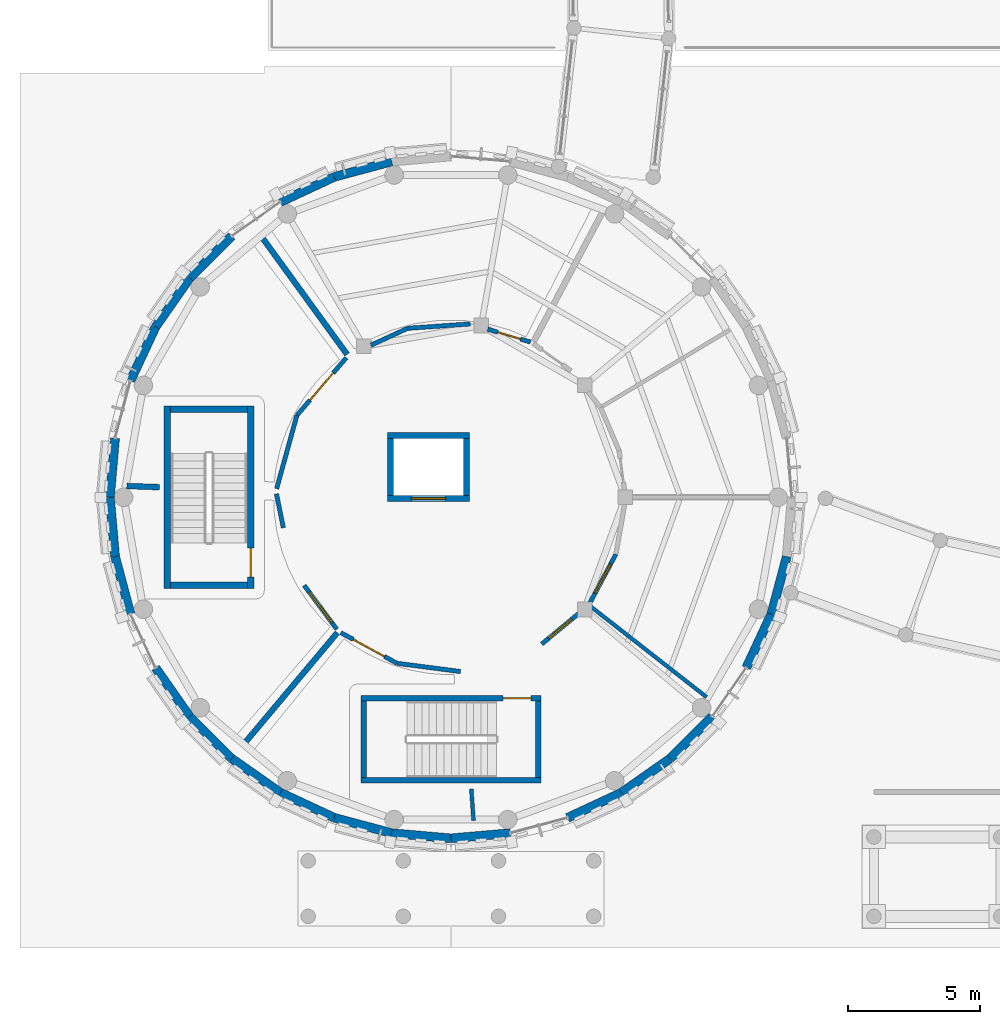
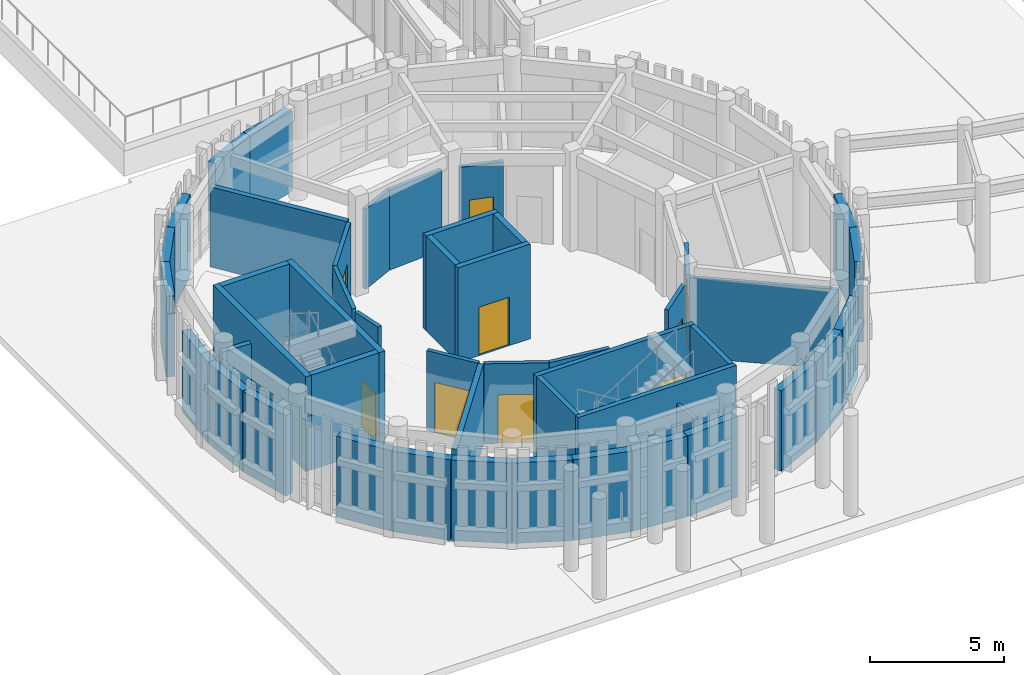
# One storey, part 45 of 94: 48 walls, 9 doors, 9 openings.
"""IFC4 building model written with IfcOpenShell, lengths in metres."""

from ifc_helpers import new_model, si_unit, direction, frame, frame_2d, origin, place, context, subcontext, project, spatial, rectangle, extrude, material, layer, layer_set, type_object, element, fill, save


model = new_model("IFC4")

# Units and contexts
model_context = context("Model", 3, precision=1e-05, world=origin(), true_north=direction((0.0, 1.0)))
body_context = subcontext(model_context, "Body", "Model", "MODEL_VIEW")
ifc_project = project(units=[si_unit("LENGTHUNIT", "METRE"), si_unit("AREAUNIT", "SQUARE_METRE"), si_unit("VOLUMEUNIT", "CUBIC_METRE"), si_unit("PLANEANGLEUNIT", "RADIAN"), si_unit("MASSUNIT", "GRAM", prefix="KILO")], contexts=[model_context])

# Site, building, storey
site_placement = place(None, origin())
site = spatial("IfcSite", under=ifc_project, at=site_placement, CompositionType="ELEMENT")
building_placement = place(site_placement, origin())
building = spatial("IfcBuilding", under=site, at=building_placement, Name="Aldenvaro Health Centre", CompositionType="ELEMENT")
storey_placement = place(building_placement, origin())
storey = spatial("IfcBuildingStorey", under=building, at=storey_placement, Name="L00", CompositionType="ELEMENT", Elevation=0.0)

# Walls
ifc_material_1 = material(Name="Gypsum Stud Acoustic Assembly")
ifc_layer_1 = layer(ifc_material_1, 0.14501953125, Name="Gypsum Stud Acoustic Assembly")
ifc_layer_set_1 = layer_set([ifc_layer_1], Name="Gypsum Stud Acoustic Assembly")
wall_type_1 = type_object("IfcWallType", Name="WL-CLN-145", PredefinedType="PARTITIONING", material=ifc_layer_set_1)
wall_1_placement = place(storey_placement, frame((19.27099609375, 7.469970703125, 0.0), z_axis=(0.0, 0.0, 1.0), x_axis=(0.070159946762, -0.997535754683, 0.0)))
element("IfcWall", 1, at=wall_1_placement, inside=storey, type_object=wall_type_1, Name="D5 L00 clinical partition 5.2", PredefinedType="PARTITIONING", context=body_context, shape_type="SweptSolid", body=[
    extrude(rectangle(XDim=1.197021484375, YDim=0.14501953125, at=frame_2d((0.5986328125, 0.0))), origin(), (0.0, 0.0, 1.0), 3.634033203125),
])
wall_2_placement = place(storey_placement, frame((23.76611328125, 14.385986328125, 0.0), z_axis=(0.0, 0.0, 1.0), x_axis=(0.787938235079, -0.615754283542, 0.0)))
element("IfcWall", 2, at=wall_2_placement, inside=storey, type_object=wall_type_1, Name="D5 L00 clinical partition 6.1", PredefinedType="PARTITIONING", context=body_context, shape_type="SweptSolid", body=[
    extrude(rectangle(XDim=5.586669921875, YDim=0.14501953125, at=frame_2d((2.79345703125, 0.0))), origin(), (0.0, 0.0, 1.0), 3.634033203125),
])

# Wall, opening, door
ifc_layer_2 = layer(ifc_material_1, 0.1650390625, Name="Gypsum Stud Acoustic Assembly")
ifc_layer_set_2 = layer_set([ifc_layer_2], Name="Gypsum Stud Acoustic Assembly")
wall_type_2 = type_object("IfcWallType", Name="WL-COR-165", PredefinedType="PARTITIONING", material=ifc_layer_set_2)
wall_3_placement = place(storey_placement, frame((21.511962890625, 24.373046875, 0.0), z_axis=(0.0, 0.0, 1.0), x_axis=(-0.957484705618, 0.288484035101, 0.0)))
wall_3 = element("IfcWall", 3, at=wall_3_placement, inside=storey, type_object=wall_type_2, Name="D5 L00 corridor wall 01.1", PredefinedType="PARTITIONING", context=body_context, shape_type="SweptSolid", body=[
    extrude(rectangle(XDim=1.695068359375, YDim=0.1650390625, at=frame_2d((0.84765625, 0.0))), origin(), (0.0, 0.0, 1.0), 3.634033203125),
])
opening_1_placement = place(wall_3_placement, frame((0.39697265625, 0.0, 0.0)))
opening_1 = element("IfcOpeningElement", 4, at=opening_1_placement, cuts=wall_3, Name="Opening WD-01", PredefinedType="OPENING", context=body_context, shape_type="SweptSolid", body=[
    extrude(rectangle(XDim=0.89990234375, YDim=2.10009765625, at=frame_2d((0.449951171875, 1.050048828125))), frame((0.0, 0.092529296875, 0.0), z_axis=(0.0, -1.0, 0.0), x_axis=(1.0, 0.0, 0.0)), (0.0, 0.0, 1.0), 0.18505859375),
])
ifc_material_2 = material(Name="Moisture-Resistant Laminate Door")
door_type_1 = type_object("IfcDoorType", Name="DR-WC-01", OperationType="NOTDEFINED", PredefinedType="DOOR", material=ifc_material_2)
door_1_placement = place(opening_1_placement, origin())
door_1 = element("IfcDoor", 5, at=door_1_placement, inside=storey, type_object=door_type_1, Name="CT Scanner Suite 01 Door", OperationType="SINGLE_SWING_LEFT", OverallHeight=2.10009765625, OverallWidth=0.89990234375, PredefinedType="DOOR", context=body_context, shape_type="SweptSolid", body=[
    extrude(rectangle(XDim=0.89990234375, YDim=2.10009765625, at=frame_2d((0.449951171875, 1.050048828125))), frame((0.0, 0.02490234375, 0.0), z_axis=(0.0, -1.0, 0.0), x_axis=(1.0, 0.0, 0.0)), (0.0, 0.0, 1.0), 0.050048828125),
])
fill(opening_1, door_1)

# Walls
wall_4_placement = place(storey_placement, frame((19.23388671875, 25.05908203125, 0.0), z_axis=(0.0, 0.0, 1.0), x_axis=(-0.997561326003, -0.069795421513, 0.0)))
element("IfcWall", 6, at=wall_4_placement, inside=storey, type_object=wall_type_2, Name="D5 L00 corridor wall 01.2", PredefinedType="PARTITIONING", context=body_context, shape_type="SweptSolid", body=[
    extrude(rectangle(XDim=2.378662109375, YDim=0.1650390625, at=frame_2d((1.189453125, 0.0))), origin(), (0.0, 0.0, 1.0), 3.634033203125),
])
wall_5_placement = place(storey_placement, frame((16.861083984375, 24.89306640625, 0.0), z_axis=(0.0, 0.0, 1.0), x_axis=(-0.90810935664, -0.418733084893, 0.0)))
element("IfcWall", 7, at=wall_5_placement, inside=storey, type_object=wall_type_2, Name="D5 L00 corridor wall 01.3", PredefinedType="PARTITIONING", context=body_context, shape_type="SweptSolid", body=[
    extrude(rectangle(XDim=1.524169921875, YDim=0.1650390625, at=frame_2d((0.76220703125, 0.0))), origin(), (0.0, 0.0, 1.0), 3.634033203125),
])

# Wall, opening, door
wall_6_placement = place(storey_placement, frame((14.5419921875, 23.781005859375, 0.0), z_axis=(0.0, 0.0, 1.0), x_axis=(-0.650532392373, -0.759478509554, 0.0)))
wall_6 = element("IfcWall", 8, at=wall_6_placement, inside=storey, type_object=wall_type_2, Name="D5 L00 corridor wall 02.1", PredefinedType="PARTITIONING", context=body_context, shape_type="SweptSolid", body=[
    extrude(rectangle(XDim=2.872802734375, YDim=0.1650390625, at=frame_2d((1.4365234375, 0.0))), origin(), (0.0, 0.0, 1.0), 3.634033203125),
])
opening_2_placement = place(wall_6_placement, frame((0.761962890625, 0.0, 0.0)))
opening_2 = element("IfcOpeningElement", 9, at=opening_2_placement, cuts=wall_6, Name="Opening XD-02", PredefinedType="OPENING", context=body_context, shape_type="SweptSolid", body=[
    extrude(rectangle(XDim=1.35009765625, YDim=2.219970703125, at=frame_2d((0.675048828125, 1.10986328125))), frame((0.0, 0.092529296875, 0.0), z_axis=(0.0, -1.0, 0.0), x_axis=(1.0, 0.0, 0.0)), (0.0, 0.0, 1.0), 0.18505859375),
])
ifc_material_3 = material(Name="RF-Shielded MRI Suite Door")
door_type_2 = type_object("IfcDoorType", Name="DR-IMG-135", OperationType="NOTDEFINED", PredefinedType="DOOR", material=ifc_material_3)
door_2_placement = place(opening_2_placement, origin())
door_2 = element("IfcDoor", 10, at=door_2_placement, inside=storey, type_object=door_type_2, Name="Digital Radiography X-Ray Room 01 Door", OperationType="SINGLE_SWING_RIGHT", OverallHeight=2.219970703125, OverallWidth=1.35009765625, PredefinedType="DOOR", context=body_context, shape_type="SweptSolid", body=[
    extrude(rectangle(XDim=1.35009765625, YDim=2.219970703125, at=frame_2d((0.675048828125, 1.10986328125))), frame((0.0, 0.02490234375, 0.0), z_axis=(0.0, -1.0, 0.0), x_axis=(1.0, 0.0, 0.0)), (0.0, 0.0, 1.0), 0.050048828125),
])
fill(opening_2, door_2)

# Walls
wall_7_placement = place(storey_placement, frame((12.673095703125, 21.59912109375, 0.0), z_axis=(0.0, 0.0, 1.0), x_axis=(-0.266141246331, -0.963934041831, 0.0)))
element("IfcWall", 11, at=wall_7_placement, inside=storey, type_object=wall_type_2, Name="D5 L00 corridor wall 02.2", PredefinedType="PARTITIONING", context=body_context, shape_type="SweptSolid", body=[
    extrude(rectangle(XDim=2.875, YDim=0.1650390625, at=frame_2d((1.4375, 0.0))), origin(), (0.0, 0.0, 1.0), 3.634033203125),
])
wall_8_placement = place(storey_placement, frame((11.90087890625, 18.632080078125, 0.0), z_axis=(0.0, 0.0, 1.0), x_axis=(0.198771444408, -0.980045872849, 0.0)))
element("IfcWall", 12, at=wall_8_placement, inside=storey, type_object=wall_type_2, Name="D5 L00 corridor wall 03.1", PredefinedType="PARTITIONING", context=body_context, shape_type="SweptSolid", body=[
    extrude(rectangle(XDim=1.30810546875, YDim=0.1650390625, at=frame_2d((0.654052734375, 0.0))), origin(), (0.0, 0.0, 1.0), 3.634033203125),
])

# Wall, opening, door
wall_9_placement = place(storey_placement, frame((12.949951171875, 15.1689453125, 0.0), z_axis=(0.0, 0.0, 1.0), x_axis=(0.596121900929, -0.802893940214, 0.0)))
wall_9 = element("IfcWall", 13, at=wall_9_placement, inside=storey, type_object=wall_type_2, Name="D5 L00 corridor wall 03.2", PredefinedType="PARTITIONING", context=body_context, shape_type="SweptSolid", body=[
    extrude(rectangle(XDim=2.068603515625, YDim=0.1650390625, at=frame_2d((1.0341796875, 0.0))), origin(), (0.0, 0.0, 1.0), 3.634033203125),
])
opening_3_placement = place(wall_9_placement, frame((0.31005859375, 0.0, 0.0)))
opening_3 = element("IfcOpeningElement", 14, at=opening_3_placement, cuts=wall_9, Name="Opening XD-01", PredefinedType="OPENING", context=body_context, shape_type="SweptSolid", body=[
    extrude(rectangle(XDim=1.449951171875, YDim=2.280029296875, at=frame_2d((0.72509765625, 1.14013671875))), frame((0.0, 0.092529296875, 0.0), z_axis=(0.0, -1.0, 0.0), x_axis=(1.0, 0.0, 0.0)), (0.0, 0.0, 1.0), 0.18505859375),
])
ifc_material_4 = material(Name="Lead-Lined Shielded Imaging Door")
door_type_3 = type_object("IfcDoorType", Name="DR-IMG-145", OperationType="NOTDEFINED", PredefinedType="DOOR", material=ifc_material_4)
door_3_placement = place(opening_3_placement, origin())
door_3 = element("IfcDoor", 15, at=door_3_placement, inside=storey, type_object=door_type_3, Name="Digital Radiography X-Ray Room 02 Door", OperationType="SINGLE_SWING_LEFT", OverallHeight=2.280029296875, OverallWidth=1.449951171875, PredefinedType="DOOR", context=body_context, shape_type="SweptSolid", body=[
    extrude(rectangle(XDim=1.449951171875, YDim=2.280029296875, at=frame_2d((0.72509765625, 1.14013671875))), frame((0.0, 0.02490234375, 0.0), z_axis=(0.0, -1.0, 0.0), x_axis=(1.0, 0.0, 0.0)), (0.0, 0.0, 1.0), 0.050048828125),
])
fill(opening_3, door_3)

wall_10_placement = place(storey_placement, frame((14.3330078125, 13.382080078125, 0.0), z_axis=(0.0, 0.0, 1.0), x_axis=(0.87806499583, -0.478541391207, 0.0)))
wall_10 = element("IfcWall", 16, at=wall_10_placement, inside=storey, type_object=wall_type_2, Name="D5 L00 corridor wall 04.1", PredefinedType="PARTITIONING", context=body_context, shape_type="SweptSolid", body=[
    extrude(rectangle(XDim=2.42236328125, YDim=0.1650390625, at=frame_2d((1.211181640625, 0.0))), origin(), (0.0, 0.0, 1.0), 3.634033203125),
])
opening_4_placement = place(wall_10_placement, frame((0.535888671875, 0.0, 0.0)))
opening_4 = element("IfcOpeningElement", 17, at=opening_4_placement, cuts=wall_10, Name="Opening XD-02", PredefinedType="OPENING", context=body_context, shape_type="SweptSolid", body=[
    extrude(rectangle(XDim=1.35009765625, YDim=2.219970703125, at=frame_2d((0.675048828125, 1.10986328125))), frame((0.0, 0.092529296875, 0.0), z_axis=(0.0, -1.0, 0.0), x_axis=(1.0, 0.0, 0.0)), (0.0, 0.0, 1.0), 0.18505859375),
])
door_4_placement = place(opening_4_placement, origin())
door_4 = element("IfcDoor", 18, at=door_4_placement, inside=storey, type_object=door_type_2, Name="Imaging Control Concourse Door", OperationType="SINGLE_SWING_RIGHT", OverallHeight=2.219970703125, OverallWidth=1.35009765625, PredefinedType="DOOR", context=body_context, shape_type="SweptSolid", body=[
    extrude(rectangle(XDim=1.35009765625, YDim=2.219970703125, at=frame_2d((0.675048828125, 1.10986328125))), frame((0.0, 0.02490234375, 0.0), z_axis=(0.0, -1.0, 0.0), x_axis=(1.0, 0.0, 0.0)), (0.0, 0.0, 1.0), 0.050048828125),
])
fill(opening_4, door_4)

# Wall
wall_11_placement = place(storey_placement, frame((16.4599609375, 12.222900390625, 0.0), z_axis=(0.0, 0.0, 1.0), x_axis=(0.991624550014, -0.129153984874, 0.0)))
element("IfcWall", 19, at=wall_11_placement, inside=storey, type_object=wall_type_2, Name="D5 L00 corridor wall 04.2", PredefinedType="PARTITIONING", context=body_context, shape_type="SweptSolid", body=[
    extrude(rectangle(XDim=2.42333984375, YDim=0.1650390625, at=frame_2d((1.211669921875, 0.0))), origin(), (0.0, 0.0, 1.0), 3.634033203125),
])

# Wall, opening, door
wall_12_placement = place(storey_placement, frame((21.93408203125, 12.949951171875, 0.0), z_axis=(0.0, 0.0, 1.0), x_axis=(0.770643994758, 0.63726590474, 0.0)))
wall_12 = element("IfcWall", 20, at=wall_12_placement, inside=storey, type_object=wall_type_2, Name="D5 L00 corridor wall 05.1", PredefinedType="PARTITIONING", context=body_context, shape_type="SweptSolid", body=[
    extrude(rectangle(XDim=1.804931640625, YDim=0.1650390625, at=frame_2d((0.90234375, 0.0))), origin(), (0.0, 0.0, 1.0), 3.634033203125),
])
opening_5_placement = place(wall_12_placement, frame((0.33203125, 0.0, 0.0)))
opening_5 = element("IfcOpeningElement", 21, at=opening_5_placement, cuts=wall_12, Name="Opening D-13", PredefinedType="OPENING", context=body_context, shape_type="SweptSolid", body=[
    extrude(rectangle(XDim=1.139892578125, YDim=2.280029296875, at=frame_2d((0.56982421875, 1.14013671875))), frame((0.0, 0.092529296875, 0.0), z_axis=(0.0, -1.0, 0.0), x_axis=(1.0, 0.0, 0.0)), (0.0, 0.0, 1.0), 0.18505859375),
])
ifc_material_5 = material(Name="Rehab Gym Access Door")
door_type_4 = type_object("IfcDoorType", Name="DR-CLN-13", OperationType="NOTDEFINED", PredefinedType="DOOR", material=ifc_material_5)
door_5_placement = place(opening_5_placement, origin())
door_5 = element("IfcDoor", 22, at=door_5_placement, inside=storey, type_object=door_type_4, Name="Diagnostic Sub-Waiting Lounge Door", OperationType="SINGLE_SWING_LEFT", OverallHeight=2.280029296875, OverallWidth=1.139892578125, PredefinedType="DOOR", context=body_context, shape_type="SweptSolid", body=[
    extrude(rectangle(XDim=1.139892578125, YDim=2.280029296875, at=frame_2d((0.56982421875, 1.14013671875))), frame((0.0, 0.02490234375, 0.0), z_axis=(0.0, -1.0, 0.0), x_axis=(1.0, 0.0, 0.0)), (0.0, 0.0, 1.0), 0.050048828125),
])
fill(opening_5, door_5)

wall_13_placement = place(storey_placement, frame((23.760986328125, 14.513916015625, 0.0), z_axis=(0.0, 0.0, 1.0), x_axis=(0.470283853227, 0.882515210857, 0.0)))
wall_13 = element("IfcWall", 23, at=wall_13_placement, inside=storey, type_object=wall_type_2, Name="D5 L00 corridor wall 06.1", PredefinedType="PARTITIONING", context=body_context, shape_type="SweptSolid", body=[
    extrude(rectangle(XDim=2.081787109375, YDim=0.1650390625, at=frame_2d((1.041015625, 0.0))), origin(), (0.0, 0.0, 1.0), 3.634033203125),
])
opening_6_placement = place(wall_13_placement, frame((0.410888671875, 0.0, 0.0)))
opening_6 = element("IfcOpeningElement", 24, at=opening_6_placement, cuts=wall_13, Name="Opening D-14", PredefinedType="OPENING", context=body_context, shape_type="SweptSolid", body=[
    extrude(rectangle(XDim=1.260009765625, YDim=2.280029296875, at=frame_2d((0.6298828125, 1.14013671875))), frame((0.0, 0.092529296875, 0.0), z_axis=(0.0, -1.0, 0.0), x_axis=(1.0, 0.0, 0.0)), (0.0, 0.0, 1.0), 0.18505859375),
])
ifc_material_6 = material(Name="Equipment Alcove Door")
door_type_5 = type_object("IfcDoorType", Name="DR-CLN-14", OperationType="NOTDEFINED", PredefinedType="DOOR", material=ifc_material_6)
door_6_placement = place(opening_6_placement, origin())
door_6 = element("IfcDoor", 25, at=door_6_placement, inside=storey, type_object=door_type_5, Name="Patient Gowning Cubicles Door", OperationType="SINGLE_SWING_RIGHT", OverallHeight=2.280029296875, OverallWidth=1.260009765625, PredefinedType="DOOR", context=body_context, shape_type="SweptSolid", body=[
    extrude(rectangle(XDim=1.260009765625, YDim=2.280029296875, at=frame_2d((0.6298828125, 1.14013671875))), frame((0.0, 0.02490234375, 0.0), z_axis=(0.0, -1.0, 0.0), x_axis=(1.0, 0.0, 0.0)), (0.0, 0.0, 1.0), 0.050048828125),
])
fill(opening_6, door_6)

# Walls
ifc_material_7 = material(Name="Concrete f'c 35 MPa", Category="concrete")
ifc_layer_3 = layer(ifc_material_7, 0.340087890625, Name="Concrete f'c 35 MPa", Category="concrete")
ifc_layer_set_3 = layer_set([ifc_layer_3], Name="Concrete f'c 35 MPa")
wall_type_3 = type_object("IfcWallType", Name="WL-EXT-340", PredefinedType="SOLIDWALL", material=ifc_layer_set_3)
wall_14_placement = place(storey_placement, frame((31.2041015625, 16.260009765625, 0.0), z_axis=(0.0, 0.0, 1.0), x_axis=(-0.258824721145, -0.96592430538, 0.0)))
element("IfcWall", 26, at=wall_14_placement, inside=storey, type_object=wall_type_3, Name="D5 L00 exterior wall 02", PredefinedType="SOLIDWALL", context=body_context, shape_type="SweptSolid", body=[
    extrude(rectangle(XDim=2.248779296875, YDim=0.340087890625, at=frame_2d((1.12451171875, 0.0))), origin(), (0.0, 0.0, 1.0), 3.658935546875),
])
wall_15_placement = place(storey_placement, frame((30.6220703125, 14.087890625, 0.0), z_axis=(0.0, 0.0, 1.0), x_axis=(-0.422504983593, -0.906360600886, 0.0)))
element("IfcWall", 27, at=wall_15_placement, inside=storey, type_object=wall_type_3, Name="D5 L00 exterior wall 03", PredefinedType="SOLIDWALL", context=body_context, shape_type="SweptSolid", body=[
    extrude(rectangle(XDim=2.248291015625, YDim=0.340087890625, at=frame_2d((1.1240234375, 0.0))), origin(), (0.0, 0.0, 1.0), 3.658935546875),
])
for number, where, z_axis, x_axis, name in (
    (28, (28.382080078125, 10.2080078125, 0.0), (0.0, 0.0, 1.0), (-0.707106781187, -0.707106781187, 0.0), "D5 L00 exterior wall 05"),
    (29, (26.7919921875, 8.617919921875, 0.0), (0.0, 0.0, 1.0), (-0.819104393925, -0.573644482107, 0.0), "D5 L00 exterior wall 06"),
):
    element("IfcWall", number, at=place(storey_placement, frame(where, z_axis=z_axis, x_axis=x_axis)), inside=storey, type_object=wall_type_3, Name=name, PredefinedType="SOLIDWALL", context=body_context, shape_type="SweptSolid", body=[
        extrude(rectangle(XDim=2.248779296875, YDim=0.340087890625, at=frame_2d((1.12451171875, 0.0))), origin(), (0.0, 0.0, 1.0), 3.658935546875),
    ])
wall_16_placement = place(storey_placement, frame((24.949951171875, 7.327880859375, 0.0), z_axis=(0.0, 0.0, 1.0), x_axis=(-0.906360600886, -0.422504983593, 0.0)))
element("IfcWall", 30, at=wall_16_placement, inside=storey, type_object=wall_type_3, Name="D5 L00 exterior wall 07", PredefinedType="SOLIDWALL", context=body_context, shape_type="SweptSolid", body=[
    extrude(rectangle(XDim=2.248291015625, YDim=0.340087890625, at=frame_2d((1.1240234375, 0.0))), origin(), (0.0, 0.0, 1.0), 3.658935546875),
])
for number, where, z_axis, x_axis, name in (
    (31, (20.739990234375, 5.7958984375, 0.0), (0.0, 0.0, 1.0), (-0.996201374201, -0.087079400775, 0.0), "D5 L00 exterior wall 09"),
    (32, (18.5, 5.60009765625, 0.0), (0.0, 0.0, 1.0), (-0.996201374201, 0.087079400775, 0.0), "D5 L00 exterior wall 10"),
):
    element("IfcWall", number, at=place(storey_placement, frame(where, z_axis=z_axis, x_axis=x_axis)), inside=storey, type_object=wall_type_3, Name=name, PredefinedType="SOLIDWALL", context=body_context, shape_type="SweptSolid", body=[
        extrude(rectangle(XDim=2.24853515625, YDim=0.340087890625, at=frame_2d((1.124267578125, 0.0))), origin(), (0.0, 0.0, 1.0), 3.658935546875),
    ])
wall_17_placement = place(storey_placement, frame((16.260009765625, 5.7958984375, 0.0), z_axis=(0.0, 0.0, 1.0), x_axis=(-0.96592430538, 0.258824721145, 0.0)))
element("IfcWall", 33, at=wall_17_placement, inside=storey, type_object=wall_type_3, Name="D5 L00 exterior wall 11", PredefinedType="SOLIDWALL", context=body_context, shape_type="SweptSolid", body=[
    extrude(rectangle(XDim=2.248779296875, YDim=0.340087890625, at=frame_2d((1.12451171875, 0.0))), origin(), (0.0, 0.0, 1.0), 3.658935546875),
])
wall_18_placement = place(storey_placement, frame((14.087890625, 6.3779296875, 0.0), z_axis=(0.0, 0.0, 1.0), x_axis=(-0.906360600886, 0.422504983593, 0.0)))
element("IfcWall", 34, at=wall_18_placement, inside=storey, type_object=wall_type_3, Name="D5 L00 exterior wall 12", PredefinedType="SOLIDWALL", context=body_context, shape_type="SweptSolid", body=[
    extrude(rectangle(XDim=2.248291015625, YDim=0.340087890625, at=frame_2d((1.1240234375, 0.0))), origin(), (0.0, 0.0, 1.0), 3.658935546875),
])
for number, where, z_axis, x_axis, name in (
    (35, (12.050048828125, 7.327880859375, 0.0), (0.0, 0.0, 1.0), (-0.819104393925, 0.573644482107, 0.0), "D5 L00 exterior wall 13"),
    (36, (10.2080078125, 8.617919921875, 0.0), (0.0, 0.0, 1.0), (-0.707106781187, 0.707106781187, 0.0), "D5 L00 exterior wall 14"),
    (37, (8.617919921875, 10.2080078125, 0.0), (0.0, 0.0, 1.0), (-0.573644482107, 0.819104393925, 0.0), "D5 L00 exterior wall 15"),
    (38, (6.3779296875, 14.087890625, 0.0), (0.0, 0.0, 1.0), (-0.258824721145, 0.96592430538, 0.0), "D5 L00 exterior wall 17"),
):
    element("IfcWall", number, at=place(storey_placement, frame(where, z_axis=z_axis, x_axis=x_axis)), inside=storey, type_object=wall_type_3, Name=name, PredefinedType="SOLIDWALL", context=body_context, shape_type="SweptSolid", body=[
        extrude(rectangle(XDim=2.248779296875, YDim=0.340087890625, at=frame_2d((1.12451171875, 0.0))), origin(), (0.0, 0.0, 1.0), 3.658935546875),
    ])
for number, where, z_axis, x_axis, name in (
    (39, (5.7958984375, 16.260009765625, 0.0), (0.0, 0.0, 1.0), (-0.087079400775, 0.996201374201, 0.0), "D5 L00 exterior wall 18"),
    (40, (5.60009765625, 18.5, 0.0), (0.0, 0.0, 1.0), (0.087079400775, 0.996201374201, 0.0), "D5 L00 exterior wall 19"),
):
    element("IfcWall", number, at=place(storey_placement, frame(where, z_axis=z_axis, x_axis=x_axis)), inside=storey, type_object=wall_type_3, Name=name, PredefinedType="SOLIDWALL", context=body_context, shape_type="SweptSolid", body=[
        extrude(rectangle(XDim=2.24853515625, YDim=0.340087890625, at=frame_2d((1.124267578125, 0.0))), origin(), (0.0, 0.0, 1.0), 3.658935546875),
    ])
wall_19_placement = place(storey_placement, frame((6.3779296875, 22.912109375, 0.0), z_axis=(0.0, 0.0, 1.0), x_axis=(0.422504983593, 0.906360600886, 0.0)))
element("IfcWall", 41, at=wall_19_placement, inside=storey, type_object=wall_type_3, Name="D5 L00 exterior wall 21", PredefinedType="SOLIDWALL", context=body_context, shape_type="SweptSolid", body=[
    extrude(rectangle(XDim=2.248291015625, YDim=0.340087890625, at=frame_2d((1.1240234375, 0.0))), origin(), (0.0, 0.0, 1.0), 3.658935546875),
])
for number, where, z_axis, x_axis, name in (
    (42, (7.327880859375, 24.949951171875, 0.0), (0.0, 0.0, 1.0), (0.573644482107, 0.819104393925, 0.0), "D5 L00 exterior wall 22"),
    (43, (8.617919921875, 26.7919921875, 0.0), (0.0, 0.0, 1.0), (0.707106781187, 0.707106781187, 0.0), "D5 L00 exterior wall 23"),
):
    element("IfcWall", number, at=place(storey_placement, frame(where, z_axis=z_axis, x_axis=x_axis)), inside=storey, type_object=wall_type_3, Name=name, PredefinedType="SOLIDWALL", context=body_context, shape_type="SweptSolid", body=[
        extrude(rectangle(XDim=2.248779296875, YDim=0.340087890625, at=frame_2d((1.12451171875, 0.0))), origin(), (0.0, 0.0, 1.0), 3.658935546875),
    ])
wall_20_placement = place(storey_placement, frame((12.050048828125, 29.672119140625, 0.0), z_axis=(0.0, 0.0, 1.0), x_axis=(0.906360600886, 0.422504983593, 0.0)))
element("IfcWall", 44, at=wall_20_placement, inside=storey, type_object=wall_type_3, Name="D5 L00 exterior wall 25", PredefinedType="SOLIDWALL", context=body_context, shape_type="SweptSolid", body=[
    extrude(rectangle(XDim=2.248291015625, YDim=0.340087890625, at=frame_2d((1.1240234375, 0.0))), origin(), (0.0, 0.0, 1.0), 3.658935546875),
])
wall_21_placement = place(storey_placement, frame((14.087890625, 30.6220703125, 0.0), z_axis=(0.0, 0.0, 1.0), x_axis=(0.96592430538, 0.258824721145, 0.0)))
element("IfcWall", 45, at=wall_21_placement, inside=storey, type_object=wall_type_3, Name="D5 L00 exterior wall 26", PredefinedType="SOLIDWALL", context=body_context, shape_type="SweptSolid", body=[
    extrude(rectangle(XDim=2.248779296875, YDim=0.340087890625, at=frame_2d((1.12451171875, 0.0))), origin(), (0.0, 0.0, 1.0), 3.658935546875),
])
ifc_layer_4 = layer(ifc_material_7, 0.215087890625, Name="Concrete f'c 35 MPa", Category="concrete")
ifc_layer_set_4 = layer_set([ifc_layer_4], Name="Concrete f'c 35 MPa")
wall_type_4 = type_object("IfcWallType", Name="WL-IMG-215", PredefinedType="SOLIDWALL", material=ifc_layer_set_4)
wall_22_placement = place(storey_placement, frame((14.572021484375, 23.906982421875, 0.0), z_axis=(0.0, 0.0, 1.0), x_axis=(-0.58782249157, 0.808989937146, 0.0)))
element("IfcWall", 46, at=wall_22_placement, inside=storey, type_object=wall_type_4, Name="D5 L00 clinical partition 2.1", PredefinedType="SOLIDWALL", context=body_context, shape_type="SweptSolid", body=[
    extrude(rectangle(XDim=5.5712890625, YDim=0.215087890625, at=frame_2d((2.78564453125, 0.0))), origin(), (0.0, 0.0, 1.0), 3.634033203125),
])
wall_23_placement = place(storey_placement, frame((7.469970703125, 18.885009765625, 0.0), z_axis=(0.0, 0.0, 1.0), x_axis=(-0.999391314448, 0.034885535768, 0.0)))
element("IfcWall", 47, at=wall_23_placement, inside=storey, type_object=wall_type_4, Name="D5 L00 clinical partition 3.2", PredefinedType="SOLIDWALL", context=body_context, shape_type="SweptSolid", body=[
    extrude(rectangle(XDim=1.231689453125, YDim=0.215087890625, at=frame_2d((0.61572265625, 0.0))), origin(), (0.0, 0.0, 1.0), 3.634033203125),
])
wall_24_placement = place(storey_placement, frame((14.2041015625, 13.381103515625, 0.0), z_axis=(0.0, 0.0, 1.0), x_axis=(-0.642818869514, -0.766018211923, 0.0)))
element("IfcWall", 48, at=wall_24_placement, inside=storey, type_object=wall_type_4, Name="D5 L00 clinical partition 4.1", PredefinedType="SOLIDWALL", context=body_context, shape_type="SweptSolid", body=[
    extrude(rectangle(XDim=5.615966796875, YDim=0.215087890625, at=frame_2d((2.80810546875, 0.0))), origin(), (0.0, 0.0, 1.0), 3.634033203125),
])

# Wall, opening, door
ifc_material_8 = material(Name="Concrete f'c 40 MPa", Category="concrete")
ifc_layer_5 = layer(ifc_material_8, 0.199951171875, Name="Concrete f'c 40 MPa", Category="concrete")
ifc_layer_set_5 = layer_set([ifc_layer_5], Name="Concrete f'c 40 MPa")
wall_type_5 = type_object("IfcWallType", Name="WL-SHAFT-200", PredefinedType="SHEAR", material=ifc_layer_set_5)
wall_25_placement = place(storey_placement, frame((21.89990234375, 10.89990234375, 0.0), z_axis=(0.0, 0.0, 1.0), x_axis=(-1.0, 0.0, 0.0)))
wall_25 = element("IfcWall", 49, at=wall_25_placement, inside=storey, type_object=wall_type_5, Name="ST-10 L00 inner core wall", PredefinedType="SHEAR", context=body_context, shape_type="SweptSolid", body=[
    extrude(rectangle(XDim=6.7998046875, YDim=0.199951171875, at=frame_2d((3.39990234375, 0.0))), origin(), (0.0, 0.0, 1.0), 4.304931640625),
])
opening_7_placement = place(wall_25_placement, frame((0.3798828125, 0.0, 0.0)))
opening_7 = element("IfcOpeningElement", 50, at=opening_7_placement, cuts=wall_25, Name="Opening FD-02", PredefinedType="OPENING", context=body_context, shape_type="SweptSolid", body=[
    extrude(rectangle(XDim=1.050048828125, YDim=2.14990234375, at=frame_2d((0.52490234375, 1.074951171875))), frame((0.0, 0.10986328125, 0.0), z_axis=(0.0, -1.0, 0.0), x_axis=(1.0, 0.0, 0.0)), (0.0, 0.0, 1.0), 0.219970703125),
])
ifc_material_9 = material(Name="Fire-Rated Steel Door Assembly", Category="steel")
door_type_6 = type_object("IfcDoorType", Name="DR-STAIR-105", OperationType="NOTDEFINED", PredefinedType="DOOR", material=ifc_material_9)
door_7_placement = place(opening_7_placement, origin())
door_7 = element("IfcDoor", 51, at=door_7_placement, inside=storey, type_object=door_type_6, Name="ST-10 L00 fire stair door", OperationType="SINGLE_SWING_RIGHT", OverallHeight=2.14990234375, OverallWidth=1.050048828125, PredefinedType="DOOR", context=body_context, shape_type="SweptSolid", body=[
    extrude(rectangle(XDim=1.050048828125, YDim=2.14990234375, at=frame_2d((0.52490234375, 1.074951171875))), frame((0.0, 0.02490234375, 0.0), z_axis=(0.0, -1.0, 0.0), x_axis=(1.0, 0.0, 0.0)), (0.0, 0.0, 1.0), 0.050048828125),
])
fill(opening_7, door_7)

# Walls
wall_26_placement = place(storey_placement, frame((21.89990234375, 7.800048828125, 0.0), z_axis=(0.0, 0.0, 1.0), x_axis=(-1.0, 0.0, 0.0)))
element("IfcWall", 52, at=wall_26_placement, inside=storey, type_object=wall_type_5, Name="ST-10 L00 far core wall", PredefinedType="SHEAR", context=body_context, shape_type="SweptSolid", body=[
    extrude(rectangle(XDim=6.7998046875, YDim=0.199951171875, at=frame_2d((3.39990234375, 0.0))), origin(), (0.0, 0.0, 1.0), 4.304931640625),
])
for number, where, z_axis, x_axis, name in (
    (53, (21.800048828125, 10.800048828125, 0.0), (0.0, 0.0, 1.0), (0.0, -1.0, 0.0), "ST-10 L00 side core wall L"),
    (54, (15.199951171875, 10.800048828125, 0.0), (0.0, 0.0, 1.0), (0.0, -1.0, 0.0), "ST-10 L00 side core wall R"),
):
    element("IfcWall", number, at=place(storey_placement, frame(where, z_axis=z_axis, x_axis=x_axis)), inside=storey, type_object=wall_type_5, Name=name, PredefinedType="SHEAR", context=body_context, shape_type="SweptSolid", body=[
        extrude(rectangle(XDim=2.900146484375, YDim=0.199951171875, at=frame_2d((1.4501953125, 0.0))), origin(), (0.0, 0.0, 1.0), 4.304931640625),
    ])

# Wall, opening, door
ifc_layer_6 = layer(ifc_material_8, 0.22509765625, Name="Concrete f'c 40 MPa", Category="concrete")
ifc_layer_set_6 = layer_set([ifc_layer_6], Name="Concrete f'c 40 MPa")
wall_type_6 = type_object("IfcWallType", Name="WL-SHAFT-225", PredefinedType="SHEAR", material=ifc_layer_set_6)
wall_27_placement = place(storey_placement, frame((16.10009765625, 18.4619140625, 0.0), z_axis=(0.0, 0.0, 1.0), x_axis=(1.0, 0.0, 0.0)))
wall_27 = element("IfcWall", 55, at=wall_27_placement, inside=storey, type_object=wall_type_6, Name="LF-05 L00 lift shaft front wall", PredefinedType="SHEAR", context=body_context, shape_type="SweptSolid", body=[
    extrude(rectangle(XDim=3.099853515625, YDim=0.22509765625, at=frame_2d((1.5498046875, 0.0))), origin(), (0.0, 0.0, 1.0), 4.304931640625),
])
opening_8_placement = place(wall_27_placement, frame((0.89990234375, 0.0, 0.0)))
opening_8 = element("IfcOpeningElement", 56, at=opening_8_placement, cuts=wall_27, Name="Opening LD-02", PredefinedType="OPENING", context=body_context, shape_type="SweptSolid", body=[
    extrude(rectangle(XDim=1.300048828125, YDim=2.199951171875, at=frame_2d((0.64990234375, 1.10009765625))), frame((0.0, 0.12255859375, 0.0), z_axis=(0.0, -1.0, 0.0), x_axis=(1.0, 0.0, 0.0)), (0.0, 0.0, 1.0), 0.2451171875),
])
ifc_material_10 = material(Name="Stainless Steel Stretcher Landing Door", Category="steel")
door_type_7 = type_object("IfcDoorType", Name="DR-LIFT-130", OperationType="DOUBLE_DOOR_SLIDING", PredefinedType="DOOR", material=ifc_material_10)
door_8_placement = place(opening_8_placement, origin())
door_8 = element("IfcDoor", 57, at=door_8_placement, inside=storey, type_object=door_type_7, Name="Lift LF-05 L00 Sliding Landing Door", OperationType="DOUBLE_DOOR_SLIDING", OverallHeight=2.199951171875, OverallWidth=1.300048828125, PredefinedType="DOOR", context=body_context, shape_type="SweptSolid", body=[
    extrude(rectangle(XDim=1.300048828125, YDim=2.199951171875, at=frame_2d((0.64990234375, 1.10009765625))), frame((0.0, 0.02490234375, 0.0), z_axis=(0.0, -1.0, 0.0), x_axis=(1.0, 0.0, 0.0)), (0.0, 0.0, 1.0), 0.050048828125),
])
fill(opening_8, door_8)

# Walls
wall_28_placement = place(storey_placement, frame((16.10009765625, 20.8369140625, 0.0), z_axis=(0.0, 0.0, 1.0), x_axis=(1.0, 0.0, 0.0)))
element("IfcWall", 58, at=wall_28_placement, inside=storey, type_object=wall_type_6, Name="LF-05 L00 lift shaft rear wall", PredefinedType="SHEAR", context=body_context, shape_type="SweptSolid", body=[
    extrude(rectangle(XDim=3.099853515625, YDim=0.22509765625, at=frame_2d((1.5498046875, 0.0))), origin(), (0.0, 0.0, 1.0), 4.304931640625),
])
for number, where, z_axis, x_axis, name in (
    (59, (16.2119140625, 18.574951171875, 0.0), (0.0, 0.0, 1.0), (0.0, 1.0, 0.0), "LF-05 L00 lift shaft side wall L"),
    (60, (19.0869140625, 18.574951171875, 0.0), (0.0, 0.0, 1.0), (0.0, 1.0, 0.0), "LF-05 L00 lift shaft side wall R"),
):
    element("IfcWall", number, at=place(storey_placement, frame(where, z_axis=z_axis, x_axis=x_axis)), inside=storey, type_object=wall_type_6, Name=name, PredefinedType="SHEAR", context=body_context, shape_type="SweptSolid", body=[
        extrude(rectangle(XDim=2.150146484375, YDim=0.22509765625, at=frame_2d((1.0751953125, 0.0))), origin(), (0.0, 0.0, 1.0), 4.304931640625),
    ])

# Wall, opening, door
ifc_layer_7 = layer(ifc_material_8, 0.25, Name="Concrete f'c 40 MPa", Category="concrete")
ifc_layer_set_7 = layer_set([ifc_layer_7], Name="Concrete f'c 40 MPa")
wall_type_7 = type_object("IfcWallType", Name="WL-SHAFT-250", PredefinedType="SHEAR", material=ifc_layer_set_7)
wall_29_placement = place(storey_placement, frame((10.925048828125, 15.050048828125, 0.0), z_axis=(0.0, 0.0, 1.0), x_axis=(0.0, 1.0, 0.0)))
wall_29 = element("IfcWall", 61, at=wall_29_placement, inside=storey, type_object=wall_type_7, Name="ST-09 L00 inner core wall", PredefinedType="SHEAR", context=body_context, shape_type="SweptSolid", body=[
    extrude(rectangle(XDim=6.89990234375, YDim=0.25, at=frame_2d((3.449951171875, 0.0))), origin(), (0.0, 0.0, 1.0), 4.304931640625),
])
opening_9_placement = place(wall_29_placement, frame((0.429931640625, 0.0, 0.0)))
opening_9 = element("IfcOpeningElement", 62, at=opening_9_placement, cuts=wall_29, Name="Opening FD-01", PredefinedType="OPENING", context=body_context, shape_type="SweptSolid", body=[
    extrude(rectangle(XDim=1.10009765625, YDim=2.14990234375, at=frame_2d((0.550048828125, 1.074951171875))), frame((0.0, 0.135009765625, 0.0), z_axis=(0.0, -1.0, 0.0), x_axis=(1.0, 0.0, 0.0)), (0.0, 0.0, 1.0), 0.27001953125),
])
door_type_8 = type_object("IfcDoorType", Name="DR-STAIR-110", OperationType="NOTDEFINED", PredefinedType="DOOR", material=ifc_material_9)
door_9_placement = place(opening_9_placement, origin())
door_9 = element("IfcDoor", 63, at=door_9_placement, inside=storey, type_object=door_type_8, Name="ST-09 L00 fire stair door", OperationType="SINGLE_SWING_RIGHT", OverallHeight=2.14990234375, OverallWidth=1.10009765625, PredefinedType="DOOR", context=body_context, shape_type="SweptSolid", body=[
    extrude(rectangle(XDim=1.10009765625, YDim=2.14990234375, at=frame_2d((0.550048828125, 1.074951171875))), frame((0.0, 0.02490234375, 0.0), z_axis=(0.0, -1.0, 0.0), x_axis=(1.0, 0.0, 0.0)), (0.0, 0.0, 1.0), 0.050048828125),
])
fill(opening_9, door_9)

# Walls
wall_30_placement = place(storey_placement, frame((7.77490234375, 15.050048828125, 0.0), z_axis=(0.0, 0.0, 1.0), x_axis=(0.0, 1.0, 0.0)))
element("IfcWall", 64, at=wall_30_placement, inside=storey, type_object=wall_type_7, Name="ST-09 L00 far core wall", PredefinedType="SHEAR", context=body_context, shape_type="SweptSolid", body=[
    extrude(rectangle(XDim=6.89990234375, YDim=0.25, at=frame_2d((3.449951171875, 0.0))), origin(), (0.0, 0.0, 1.0), 4.304931640625),
])
for number, where, z_axis, x_axis, name in (
    (65, (10.800048828125, 15.175048828125, 0.0), (0.0, 0.0, 1.0), (-1.0, 0.0, 0.0), "ST-09 L00 side core wall L"),
    (66, (10.800048828125, 21.824951171875, 0.0), (0.0, 0.0, 1.0), (-1.0, 0.0, 0.0), "ST-09 L00 side core wall R"),
):
    element("IfcWall", number, at=place(storey_placement, frame(where, z_axis=z_axis, x_axis=x_axis)), inside=storey, type_object=wall_type_7, Name=name, PredefinedType="SHEAR", context=body_context, shape_type="SweptSolid", body=[
        extrude(rectangle(XDim=2.900146484375, YDim=0.25, at=frame_2d((1.4501953125, 0.0))), origin(), (0.0, 0.0, 1.0), 4.304931640625),
    ])

save(model, "model.ifc")
